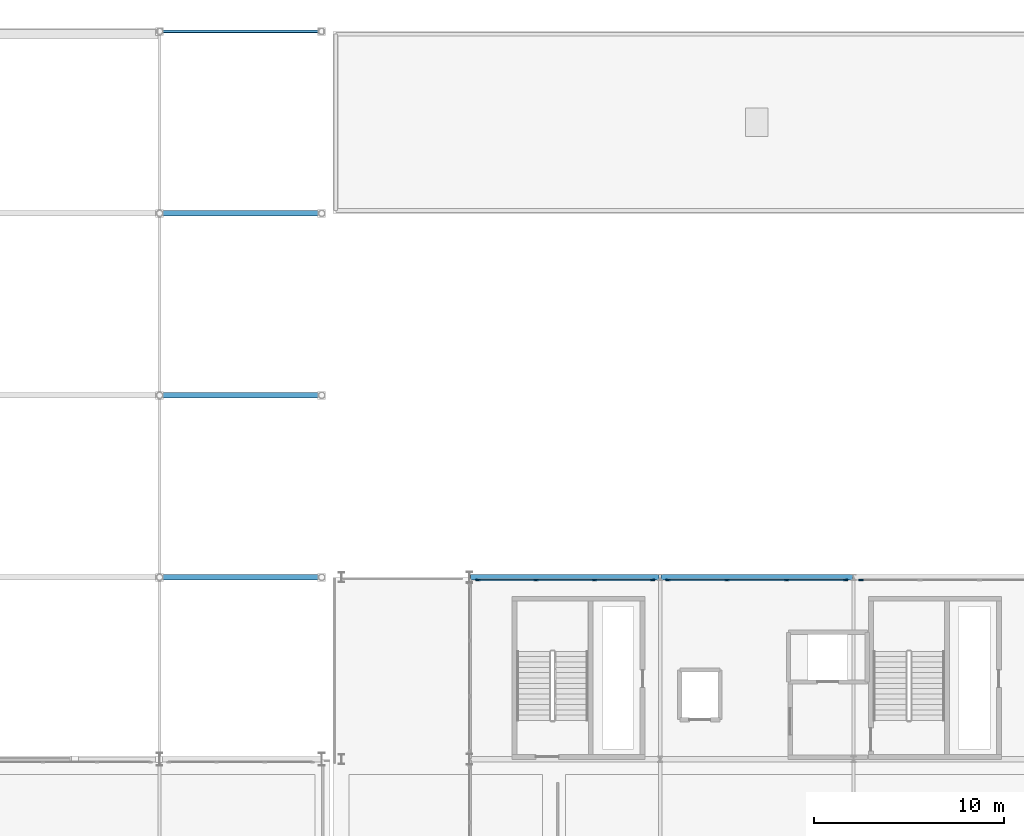
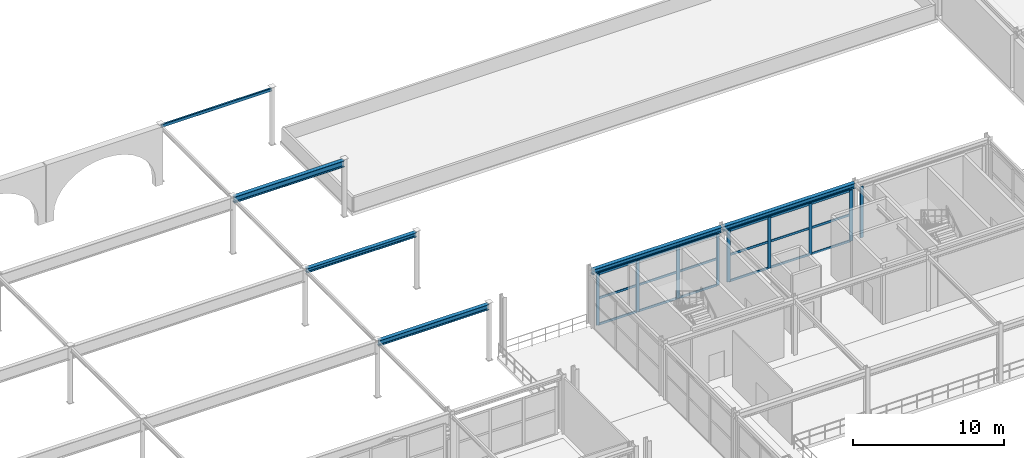
# One storey, part 51 of 125: 27 members, 6 beams, 3 elements without a shape of their own.
"""IFC4 building model written with IfcOpenShell, lengths in metres."""

from ifc_helpers import new_model, si_unit, direction, frame, origin, origin_2d, place, context, subcontext, project, spatial, rectangle, hollow_rectangle, i_section, extrude, material, layer, layer_set, material_profile, profile_set, type_object, element, aggregate, save


model = new_model("IFC4")

# Units and contexts
model_context = context("Model", 3, precision=1e-05, world=origin(), true_north=direction((0.0, 1.0)))
body_context = subcontext(model_context, "Body", "Model", "MODEL_VIEW")
ifc_project = project(units=[si_unit("LENGTHUNIT", "METRE"), si_unit("AREAUNIT", "SQUARE_METRE"), si_unit("VOLUMEUNIT", "CUBIC_METRE"), si_unit("PLANEANGLEUNIT", "RADIAN"), si_unit("MASSUNIT", "GRAM", prefix="KILO")], contexts=[model_context])

# Site, building, storey
site_placement = place(None, origin())
site = spatial("IfcSite", under=ifc_project, at=site_placement, CompositionType="ELEMENT")
building_placement = place(site_placement, origin())
building = spatial("IfcBuilding", under=site, at=building_placement, Name="Myrtia Square Station", CompositionType="ELEMENT")
storey_placement = place(building_placement, frame((0.0, 0.0, 6.0)))
storey = spatial("IfcBuildingStorey", under=building, at=storey_placement, Name="L01", CompositionType="ELEMENT", Elevation=6.0)

# Beams
ifc_material_1 = material(Name="Steel S355", Category="steel")
ifc_material_profile_1 = material_profile(ifc_material_1, i_section(OverallWidth=0.300048828125, OverallDepth=0.35009765625, WebThickness=0.010009765625, FlangeThickness=0.017578125, FilletRadius=0.027099609375, at=origin_2d()), Name="HEA 360")
ifc_profile_set_1 = profile_set([ifc_material_profile_1], Name="Steel S355")
beam_type_1 = type_object("IfcBeamType", Name="BM-HEA360", PredefinedType="BEAM", material=ifc_profile_set_1)
beam_1_placement = place(storey_placement, frame((63.050048828125, 105.60009765625, 4.3798828125), z_axis=(1.0, 0.0, 0.0), x_axis=(0.0, 1.0, 0.0)))
element("IfcBeam", 1, at=beam_1_placement, inside=storey, type_object=beam_type_1, Name="Structural girder BMX-L01-0481", PredefinedType="BEAM", context=body_context, shape_type="SweptSolid", body=[
    extrude(i_section(OverallWidth=0.300048828125, OverallDepth=0.35009765625, WebThickness=0.010009765625, FlangeThickness=0.017578125, FilletRadius=0.027099609375, at=origin_2d()), origin(), (0.0, 0.0, 1.0), 8.449951171875),
])
ifc_material_profile_2 = material_profile(ifc_material_1, i_section(OverallWidth=0.300048828125, OverallDepth=0.43994140625, WebThickness=0.011474609375, FlangeThickness=0.02099609375, FilletRadius=0.027099609375, at=origin_2d()), Name="HEA 450")
ifc_profile_set_2 = profile_set([ifc_material_profile_2], Name="Steel S355")
beam_type_2 = type_object("IfcBeamType", Name="BM-HEA450", PredefinedType="BEAM", material=ifc_profile_set_2)
beam_2_placement = place(storey_placement, frame((63.050048828125, 96.0, 4.3349609375), z_axis=(1.0, 0.0, 0.0), x_axis=(0.0, 1.0, 0.0)))
element("IfcBeam", 2, at=beam_2_placement, inside=storey, type_object=beam_type_2, Name="Structural girder BMX-L01-0479", PredefinedType="BEAM", context=body_context, shape_type="SweptSolid", body=[
    extrude(i_section(OverallWidth=0.300048828125, OverallDepth=0.43994140625, WebThickness=0.011474609375, FlangeThickness=0.02099609375, FilletRadius=0.027099609375, at=origin_2d()), origin(), (0.0, 0.0, 1.0), 8.449951171875),
])
ifc_material_profile_3 = material_profile(ifc_material_1, i_section(OverallWidth=0.300048828125, OverallDepth=0.39990234375, WebThickness=0.013427734375, FlangeThickness=0.02392578125, FilletRadius=0.027099609375, at=origin_2d()), Name="HEB 400")
ifc_profile_set_3 = profile_set([ifc_material_profile_3], Name="Steel S355")
beam_type_3 = type_object("IfcBeamType", Name="BM-HEB400", PredefinedType="BEAM", material=ifc_profile_set_3)
beam_3_placement = place(storey_placement, frame((79.39990234375, 96.0, 4.35009765625), z_axis=(1.0, 0.0, 0.0), x_axis=(0.0, 1.0, 0.0)))
element("IfcBeam", 3, at=beam_3_placement, inside=storey, type_object=beam_type_3, Name="Structural girder BMX-L01-0549", PredefinedType="BEAM", context=body_context, shape_type="SweptSolid", body=[
    extrude(i_section(OverallWidth=0.300048828125, OverallDepth=0.39990234375, WebThickness=0.013427734375, FlangeThickness=0.02392578125, FilletRadius=0.027099609375, at=origin_2d()), origin(), (0.0, 0.0, 1.0), 9.9501953125),
])
beam_4_placement = place(storey_placement, frame((89.449951171875, 96.0, 4.35009765625), z_axis=(1.0, 0.0, 0.0), x_axis=(0.0, 1.0, 0.0)))
element("IfcBeam", 4, at=beam_4_placement, inside=storey, type_object=beam_type_3, Name="Structural girder BMX-L01-0550", PredefinedType="BEAM", context=body_context, shape_type="SweptSolid", body=[
    extrude(i_section(OverallWidth=0.300048828125, OverallDepth=0.39990234375, WebThickness=0.013427734375, FlangeThickness=0.02392578125, FilletRadius=0.027099609375, at=origin_2d()), origin(), (0.0, 0.0, 1.0), 10.10009765625),
])
ifc_material_profile_4 = material_profile(ifc_material_1, i_section(OverallWidth=0.300048828125, OverallDepth=0.5, WebThickness=0.014404296875, FlangeThickness=0.028076171875, FilletRadius=0.027099609375, at=origin_2d()), Name="HEB 500")
ifc_profile_set_4 = profile_set([ifc_material_profile_4], Name="Steel S355")
beam_type_4 = type_object("IfcBeamType", Name="BM-HEB500", PredefinedType="BEAM", material=ifc_profile_set_4)
beam_5_placement = place(storey_placement, frame((63.050048828125, 115.199951171875, 4.304931640625), z_axis=(1.0, 0.0, 0.0), x_axis=(0.0, 1.0, 0.0)))
element("IfcBeam", 5, at=beam_5_placement, inside=storey, type_object=beam_type_4, Name="Structural girder BMX-L01-0483", PredefinedType="BEAM", context=body_context, shape_type="SweptSolid", body=[
    extrude(i_section(OverallWidth=0.300048828125, OverallDepth=0.5, WebThickness=0.014404296875, FlangeThickness=0.028076171875, FilletRadius=0.027099609375, at=origin_2d()), origin(), (0.0, 0.0, 1.0), 8.449951171875),
])

# Curtain wall, members
ifc_material_2 = material(Name="Dark bronze anodised aluminium", Category="aluminium")
ifc_layer_1 = layer(ifc_material_2, 0.159912109375, Name="Dark bronze anodised aluminium")
ifc_layer_set_1 = layer_set([ifc_layer_1], Name="Dark bronze anodised aluminium")
curtain_wall_type_1 = type_object("IfcCurtainWallType", Name="CW-TYPE-09-928x415", PredefinedType="USERDEFINED", material=ifc_layer_set_1)
curtain_wall_1_placement = place(storey_placement, origin())
curtain_wall_1 = element("IfcCurtainWall", 6, at=curtain_wall_1_placement, inside=storey, type_object=curtain_wall_type_1, Name="Concourse curtain wall CW-L01-042", ObjectType="CONCOURSE CURTAIN WALL", PredefinedType="USERDEFINED")
ifc_material_profile_5 = material_profile(ifc_material_2, rectangle(XDim=0.074951171875, YDim=0.239990234375, at=origin_2d()), Name="ALU-M 75x240")
ifc_profile_set_5 = profile_set([ifc_material_profile_5], Name="Dark bronze anodised aluminium")
member_type_1 = type_object("IfcMemberType", Name="CWM-75x240", PredefinedType="MULLION", material=ifc_profile_set_5)
member_1_placement = place(storey_placement, frame((79.78759765625, 95.85009765625, 0.0), z_axis=(0.0, 0.0, 1.0), x_axis=(0.0, 1.0, 0.0)))
member_1 = element("IfcMember", 7, at=member_1_placement, type_object=member_type_1, Name="CW-042 mullion 1", PredefinedType="MULLION", context=body_context, shape_type="SweptSolid", body=[
    extrude(rectangle(XDim=0.074951171875, YDim=0.239990234375, at=origin_2d()), origin(), (0.0, 0.0, 1.0), 4.14990234375),
])
member_2_placement = place(storey_placement, frame((82.84326171875, 95.85009765625, 0.0), z_axis=(0.0, 0.0, 1.0), x_axis=(0.0, 1.0, 0.0)))
member_2 = element("IfcMember", 8, at=member_2_placement, type_object=member_type_1, Name="CW-042 mullion 2", PredefinedType="MULLION", context=body_context, shape_type="SweptSolid", body=[
    extrude(rectangle(XDim=0.074951171875, YDim=0.239990234375, at=origin_2d()), origin(), (0.0, 0.0, 1.0), 4.14990234375),
])
member_3_placement = place(storey_placement, frame((85.936767578125, 95.85009765625, 0.0), z_axis=(0.0, 0.0, 1.0), x_axis=(0.0, 1.0, 0.0)))
member_3 = element("IfcMember", 9, at=member_3_placement, type_object=member_type_1, Name="CW-042 mullion 3", PredefinedType="MULLION", context=body_context, shape_type="SweptSolid", body=[
    extrude(rectangle(XDim=0.074951171875, YDim=0.239990234375, at=origin_2d()), origin(), (0.0, 0.0, 1.0), 4.14990234375),
])
member_4_placement = place(storey_placement, frame((88.992431640625, 95.85009765625, 0.0), z_axis=(0.0, 0.0, 1.0), x_axis=(0.0, 1.0, 0.0)))
member_4 = element("IfcMember", 10, at=member_4_placement, type_object=member_type_1, Name="CW-042 mullion 4", PredefinedType="MULLION", context=body_context, shape_type="SweptSolid", body=[
    extrude(rectangle(XDim=0.074951171875, YDim=0.239990234375, at=origin_2d()), origin(), (0.0, 0.0, 1.0), 4.14990234375),
])

ifc_layer_2 = layer(ifc_material_2, 0.159912109375, Name="Dark bronze anodised aluminium")
ifc_layer_set_2 = layer_set([ifc_layer_2], Name="Dark bronze anodised aluminium")
curtain_wall_type_2 = type_object("IfcCurtainWallType", Name="CW-TYPE-10-946x415", PredefinedType="USERDEFINED", material=ifc_layer_set_2)
curtain_wall_2_placement = place(storey_placement, origin())
curtain_wall_2 = element("IfcCurtainWall", 11, at=curtain_wall_2_placement, inside=storey, type_object=curtain_wall_type_2, Name="Concourse curtain wall CW-L01-044", ObjectType="CONCOURSE CURTAIN WALL", PredefinedType="USERDEFINED")
member_5_placement = place(storey_placement, frame((89.8076171875, 95.85009765625, 0.0), z_axis=(0.0, 0.0, 1.0), x_axis=(0.0, 1.0, 0.0)))
member_5 = element("IfcMember", 12, at=member_5_placement, type_object=member_type_1, Name="CW-044 mullion 1", PredefinedType="MULLION", context=body_context, shape_type="SweptSolid", body=[
    extrude(rectangle(XDim=0.074951171875, YDim=0.239990234375, at=origin_2d()), origin(), (0.0, 0.0, 1.0), 4.14990234375),
])
member_6_placement = place(storey_placement, frame((92.92333984375, 95.85009765625, 0.0), z_axis=(0.0, 0.0, 1.0), x_axis=(0.0, 1.0, 0.0)))
member_6 = element("IfcMember", 13, at=member_6_placement, type_object=member_type_1, Name="CW-044 mullion 2", PredefinedType="MULLION", context=body_context, shape_type="SweptSolid", body=[
    extrude(rectangle(XDim=0.074951171875, YDim=0.239990234375, at=origin_2d()), origin(), (0.0, 0.0, 1.0), 4.14990234375),
])
member_7_placement = place(storey_placement, frame((96.07666015625, 95.85009765625, 0.0), z_axis=(0.0, 0.0, 1.0), x_axis=(0.0, 1.0, 0.0)))
member_7 = element("IfcMember", 14, at=member_7_placement, type_object=member_type_1, Name="CW-044 mullion 3", PredefinedType="MULLION", context=body_context, shape_type="SweptSolid", body=[
    extrude(rectangle(XDim=0.074951171875, YDim=0.239990234375, at=origin_2d()), origin(), (0.0, 0.0, 1.0), 4.14990234375),
])
member_8_placement = place(storey_placement, frame((99.1923828125, 95.85009765625, 0.0), z_axis=(0.0, 0.0, 1.0), x_axis=(0.0, 1.0, 0.0)))
member_8 = element("IfcMember", 15, at=member_8_placement, type_object=member_type_1, Name="CW-044 mullion 4", PredefinedType="MULLION", context=body_context, shape_type="SweptSolid", body=[
    extrude(rectangle(XDim=0.074951171875, YDim=0.239990234375, at=origin_2d()), origin(), (0.0, 0.0, 1.0), 4.14990234375),
])

# Curtain wall, member
ifc_layer_3 = layer(ifc_material_2, 0.159912109375, Name="Dark bronze anodised aluminium")
ifc_layer_set_3 = layer_set([ifc_layer_3], Name="Dark bronze anodised aluminium")
curtain_wall_type_3 = type_object("IfcCurtainWallType", Name="CW-TYPE-11-943x415", PredefinedType="USERDEFINED", material=ifc_layer_set_3)
curtain_wall_3_placement = place(storey_placement, origin())
curtain_wall_3 = element("IfcCurtainWall", 16, at=curtain_wall_3_placement, inside=storey, type_object=curtain_wall_type_3, Name="Concourse curtain wall CW-L01-046", ObjectType="CONCOURSE CURTAIN WALL", PredefinedType="USERDEFINED")
member_9_placement = place(storey_placement, frame((100.007568359375, 95.85009765625, 0.0), z_axis=(0.0, 0.0, 1.0), x_axis=(0.0, 1.0, 0.0)))
member_9 = element("IfcMember", 17, at=member_9_placement, type_object=member_type_1, Name="CW-046 mullion 1", PredefinedType="MULLION", context=body_context, shape_type="SweptSolid", body=[
    extrude(rectangle(XDim=0.074951171875, YDim=0.239990234375, at=origin_2d()), origin(), (0.0, 0.0, 1.0), 4.14990234375),
])
aggregate(curtain_wall_3, [member_9])

# Member
ifc_material_profile_6 = material_profile(ifc_material_2, rectangle(XDim=0.074951171875, YDim=0.179931640625, at=origin_2d()), Name="ALU-T 75x180")
ifc_profile_set_6 = profile_set([ifc_material_profile_6], Name="Dark bronze anodised aluminium")
member_type_2 = type_object("IfcMemberType", Name="CWT-75x180", PredefinedType="USERDEFINED", material=ifc_profile_set_6)
member_10_placement = place(storey_placement, frame((79.824951171875, 95.85009765625, 0.03759765625), z_axis=(1.0, 0.0, 0.0), x_axis=(0.0, 1.0, 0.0)))
member_10 = element("IfcMember", 18, at=member_10_placement, type_object=member_type_2, Name="CW-042 transom 1.1", ObjectType="TRANSOM", PredefinedType="USERDEFINED", context=body_context, shape_type="SweptSolid", body=[
    extrude(rectangle(XDim=0.074951171875, YDim=0.179931640625, at=origin_2d()), origin(), (0.0, 0.0, 1.0), 2.98095703125),
])

member_11_placement = place(storey_placement, frame((79.824951171875, 95.85009765625, 2.157958984375), z_axis=(1.0, 0.0, 0.0), x_axis=(0.0, 1.0, 0.0)))
member_11 = element("IfcMember", 19, at=member_11_placement, type_object=member_type_2, Name="CW-042 transom 1.2", ObjectType="TRANSOM", PredefinedType="USERDEFINED", context=body_context, shape_type="SweptSolid", body=[
    extrude(rectangle(XDim=0.074951171875, YDim=0.179931640625, at=origin_2d()), origin(), (0.0, 0.0, 1.0), 2.98095703125),
])

member_12_placement = place(storey_placement, frame((79.824951171875, 95.85009765625, 4.112548828125), z_axis=(1.0, 0.0, 0.0), x_axis=(0.0, 1.0, 0.0)))
member_12 = element("IfcMember", 20, at=member_12_placement, type_object=member_type_2, Name="CW-042 transom 1.3", ObjectType="TRANSOM", PredefinedType="USERDEFINED", context=body_context, shape_type="SweptSolid", body=[
    extrude(rectangle(XDim=0.074951171875, YDim=0.179931640625, at=origin_2d()), origin(), (0.0, 0.0, 1.0), 2.98095703125),
])

member_13_placement = place(storey_placement, frame((82.880859375, 95.85009765625, 0.03759765625), z_axis=(1.0, 0.0, 0.0), x_axis=(0.0, 1.0, 0.0)))
member_13 = element("IfcMember", 21, at=member_13_placement, type_object=member_type_2, Name="CW-042 transom 2.1", ObjectType="TRANSOM", PredefinedType="USERDEFINED", context=body_context, shape_type="SweptSolid", body=[
    extrude(rectangle(XDim=0.074951171875, YDim=0.179931640625, at=origin_2d()), origin(), (0.0, 0.0, 1.0), 3.018310546875),
])

member_14_placement = place(storey_placement, frame((82.880859375, 95.85009765625, 2.157958984375), z_axis=(1.0, 0.0, 0.0), x_axis=(0.0, 1.0, 0.0)))
member_14 = element("IfcMember", 22, at=member_14_placement, type_object=member_type_2, Name="CW-042 transom 2.2", ObjectType="TRANSOM", PredefinedType="USERDEFINED", context=body_context, shape_type="SweptSolid", body=[
    extrude(rectangle(XDim=0.074951171875, YDim=0.179931640625, at=origin_2d()), origin(), (0.0, 0.0, 1.0), 3.018310546875),
])

member_15_placement = place(storey_placement, frame((82.880859375, 95.85009765625, 4.112548828125), z_axis=(1.0, 0.0, 0.0), x_axis=(0.0, 1.0, 0.0)))
member_15 = element("IfcMember", 23, at=member_15_placement, type_object=member_type_2, Name="CW-042 transom 2.3", ObjectType="TRANSOM", PredefinedType="USERDEFINED", context=body_context, shape_type="SweptSolid", body=[
    extrude(rectangle(XDim=0.074951171875, YDim=0.179931640625, at=origin_2d()), origin(), (0.0, 0.0, 1.0), 3.018310546875),
])

member_16_placement = place(storey_placement, frame((85.97412109375, 95.85009765625, 0.03759765625), z_axis=(1.0, 0.0, 0.0), x_axis=(0.0, 1.0, 0.0)))
member_16 = element("IfcMember", 24, at=member_16_placement, type_object=member_type_2, Name="CW-042 transom 3.1", ObjectType="TRANSOM", PredefinedType="USERDEFINED", context=body_context, shape_type="SweptSolid", body=[
    extrude(rectangle(XDim=0.074951171875, YDim=0.179931640625, at=origin_2d()), origin(), (0.0, 0.0, 1.0), 2.98095703125),
])

member_17_placement = place(storey_placement, frame((85.97412109375, 95.85009765625, 2.157958984375), z_axis=(1.0, 0.0, 0.0), x_axis=(0.0, 1.0, 0.0)))
member_17 = element("IfcMember", 25, at=member_17_placement, type_object=member_type_2, Name="CW-042 transom 3.2", ObjectType="TRANSOM", PredefinedType="USERDEFINED", context=body_context, shape_type="SweptSolid", body=[
    extrude(rectangle(XDim=0.074951171875, YDim=0.179931640625, at=origin_2d()), origin(), (0.0, 0.0, 1.0), 2.98095703125),
])

member_18_placement = place(storey_placement, frame((85.97412109375, 95.85009765625, 4.112548828125), z_axis=(1.0, 0.0, 0.0), x_axis=(0.0, 1.0, 0.0)))
member_18 = element("IfcMember", 26, at=member_18_placement, type_object=member_type_2, Name="CW-042 transom 3.3", ObjectType="TRANSOM", PredefinedType="USERDEFINED", context=body_context, shape_type="SweptSolid", body=[
    extrude(rectangle(XDim=0.074951171875, YDim=0.179931640625, at=origin_2d()), origin(), (0.0, 0.0, 1.0), 2.98095703125),
])

aggregate(curtain_wall_1, [member_1, member_2, member_3, member_4, member_10, member_11, member_12, member_13, member_14, member_15, member_16, member_17, member_18])

member_19_placement = place(storey_placement, frame((89.844970703125, 95.85009765625, 0.03759765625), z_axis=(1.0, 0.0, 0.0), x_axis=(0.0, 1.0, 0.0)))
member_19 = element("IfcMember", 27, at=member_19_placement, type_object=member_type_2, Name="CW-044 transom 1.1", ObjectType="TRANSOM", PredefinedType="USERDEFINED", context=body_context, shape_type="SweptSolid", body=[
    extrude(rectangle(XDim=0.074951171875, YDim=0.179931640625, at=origin_2d()), origin(), (0.0, 0.0, 1.0), 3.040771484375),
])

member_20_placement = place(storey_placement, frame((89.844970703125, 95.85009765625, 2.157958984375), z_axis=(1.0, 0.0, 0.0), x_axis=(0.0, 1.0, 0.0)))
member_20 = element("IfcMember", 28, at=member_20_placement, type_object=member_type_2, Name="CW-044 transom 1.2", ObjectType="TRANSOM", PredefinedType="USERDEFINED", context=body_context, shape_type="SweptSolid", body=[
    extrude(rectangle(XDim=0.074951171875, YDim=0.179931640625, at=origin_2d()), origin(), (0.0, 0.0, 1.0), 3.040771484375),
])

member_21_placement = place(storey_placement, frame((89.844970703125, 95.85009765625, 4.112548828125), z_axis=(1.0, 0.0, 0.0), x_axis=(0.0, 1.0, 0.0)))
member_21 = element("IfcMember", 29, at=member_21_placement, type_object=member_type_2, Name="CW-044 transom 1.3", ObjectType="TRANSOM", PredefinedType="USERDEFINED", context=body_context, shape_type="SweptSolid", body=[
    extrude(rectangle(XDim=0.074951171875, YDim=0.179931640625, at=origin_2d()), origin(), (0.0, 0.0, 1.0), 3.040771484375),
])

member_22_placement = place(storey_placement, frame((92.9609375, 95.85009765625, 0.03759765625), z_axis=(1.0, 0.0, 0.0), x_axis=(0.0, 1.0, 0.0)))
member_22 = element("IfcMember", 30, at=member_22_placement, type_object=member_type_2, Name="CW-044 transom 2.1", ObjectType="TRANSOM", PredefinedType="USERDEFINED", context=body_context, shape_type="SweptSolid", body=[
    extrude(rectangle(XDim=0.074951171875, YDim=0.179931640625, at=origin_2d()), origin(), (0.0, 0.0, 1.0), 3.078125),
])

member_23_placement = place(storey_placement, frame((92.9609375, 95.85009765625, 2.157958984375), z_axis=(1.0, 0.0, 0.0), x_axis=(0.0, 1.0, 0.0)))
member_23 = element("IfcMember", 31, at=member_23_placement, type_object=member_type_2, Name="CW-044 transom 2.2", ObjectType="TRANSOM", PredefinedType="USERDEFINED", context=body_context, shape_type="SweptSolid", body=[
    extrude(rectangle(XDim=0.074951171875, YDim=0.179931640625, at=origin_2d()), origin(), (0.0, 0.0, 1.0), 3.078125),
])

member_24_placement = place(storey_placement, frame((92.9609375, 95.85009765625, 4.112548828125), z_axis=(1.0, 0.0, 0.0), x_axis=(0.0, 1.0, 0.0)))
member_24 = element("IfcMember", 32, at=member_24_placement, type_object=member_type_2, Name="CW-044 transom 2.3", ObjectType="TRANSOM", PredefinedType="USERDEFINED", context=body_context, shape_type="SweptSolid", body=[
    extrude(rectangle(XDim=0.074951171875, YDim=0.179931640625, at=origin_2d()), origin(), (0.0, 0.0, 1.0), 3.078125),
])

member_25_placement = place(storey_placement, frame((96.1142578125, 95.85009765625, 0.03759765625), z_axis=(1.0, 0.0, 0.0), x_axis=(0.0, 1.0, 0.0)))
member_25 = element("IfcMember", 33, at=member_25_placement, type_object=member_type_2, Name="CW-044 transom 3.1", ObjectType="TRANSOM", PredefinedType="USERDEFINED", context=body_context, shape_type="SweptSolid", body=[
    extrude(rectangle(XDim=0.074951171875, YDim=0.179931640625, at=origin_2d()), origin(), (0.0, 0.0, 1.0), 3.040771484375),
])

member_26_placement = place(storey_placement, frame((96.1142578125, 95.85009765625, 2.157958984375), z_axis=(1.0, 0.0, 0.0), x_axis=(0.0, 1.0, 0.0)))
member_26 = element("IfcMember", 34, at=member_26_placement, type_object=member_type_2, Name="CW-044 transom 3.2", ObjectType="TRANSOM", PredefinedType="USERDEFINED", context=body_context, shape_type="SweptSolid", body=[
    extrude(rectangle(XDim=0.074951171875, YDim=0.179931640625, at=origin_2d()), origin(), (0.0, 0.0, 1.0), 3.040771484375),
])

member_27_placement = place(storey_placement, frame((96.1142578125, 95.85009765625, 4.112548828125), z_axis=(1.0, 0.0, 0.0), x_axis=(0.0, 1.0, 0.0)))
member_27 = element("IfcMember", 35, at=member_27_placement, type_object=member_type_2, Name="CW-044 transom 3.3", ObjectType="TRANSOM", PredefinedType="USERDEFINED", context=body_context, shape_type="SweptSolid", body=[
    extrude(rectangle(XDim=0.074951171875, YDim=0.179931640625, at=origin_2d()), origin(), (0.0, 0.0, 1.0), 3.040771484375),
])

aggregate(curtain_wall_2, [member_5, member_6, member_7, member_8, member_19, member_20, member_21, member_22, member_23, member_24, member_25, member_26, member_27])

# Beam
ifc_material_profile_7 = material_profile(ifc_material_1, hollow_rectangle(XDim=0.14990234375, YDim=0.25, WallThickness=0.012451171875, InnerFilletRadius=0.012451171875, OuterFilletRadius=0.02490234375, at=origin_2d()), Name="RHS 250x150x12.5")
ifc_profile_set_7 = profile_set([ifc_material_profile_7], Name="Steel S355")
beam_type_5 = type_object("IfcBeamType", Name="SPN-RHS250", PredefinedType="SPANDREL", material=ifc_profile_set_7)
beam_6_placement = place(storey_placement, frame((63.050048828125, 124.800048828125, 4.429931640625), z_axis=(1.0, 0.0, 0.0), x_axis=(0.0, 1.0, 0.0)))
element("IfcBeam", 36, at=beam_6_placement, inside=storey, type_object=beam_type_5, Name="Structural girder SPN-L01-0139", PredefinedType="SPANDREL", context=body_context, shape_type="SweptSolid", body=[
    extrude(hollow_rectangle(XDim=0.14990234375, YDim=0.25, WallThickness=0.012451171875, InnerFilletRadius=0.012451171875, OuterFilletRadius=0.02490234375, at=origin_2d()), origin(), (0.0, 0.0, 1.0), 8.449951171875),
])

save(model, "model.ifc")
